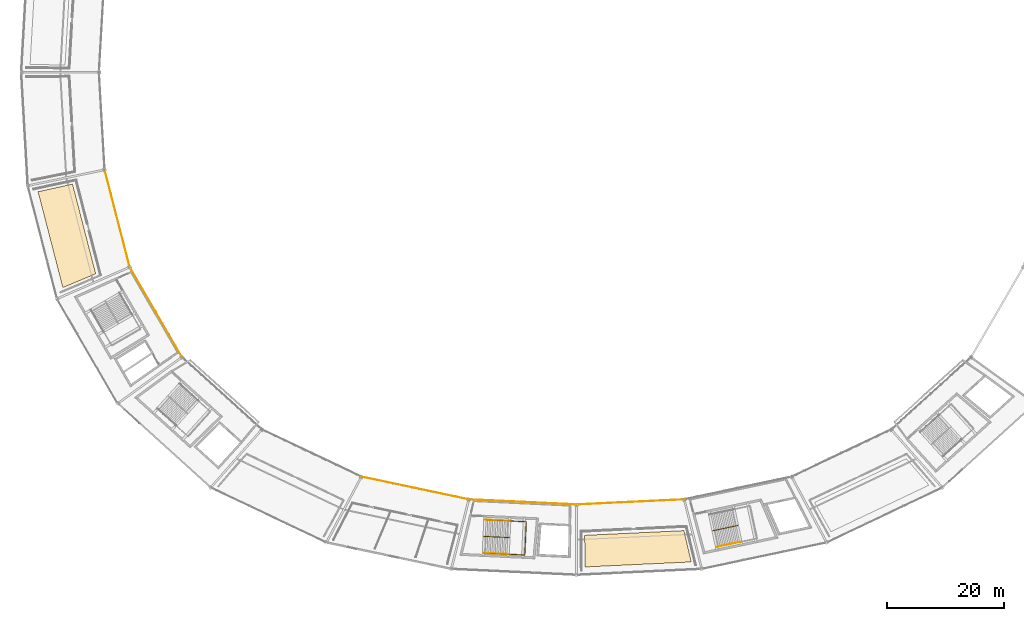
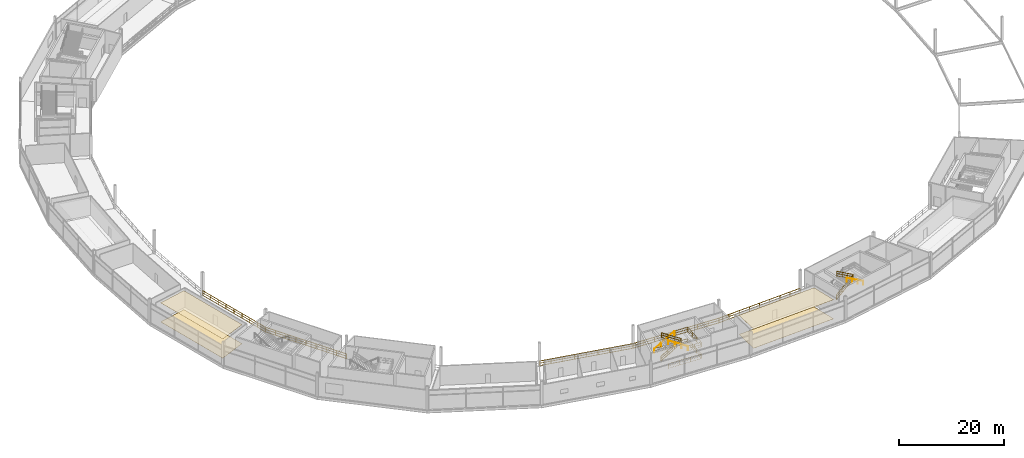
# One storey, part 98 of 103: 12 railings, 4 coverings.
"""IFC4 building model written with IfcOpenShell, lengths in metres."""

import ifcopenshell
import ifcopenshell.guid

model = None  # the IFC model being written
_history = None  # IfcOwnerHistory: only IFC2X3 demands one
_inside = {}  # id of a spatial element -> (the spatial element, [elements in it])
_under = {}  # id of a project, library or spatial element -> (it, [spatial elements below it])
_declared = {}  # id of a project -> (the project, [libraries it declares])
_typed = {}  # id of a type object -> (the type object, [elements of that type])
_made_of = {}  # id of a material, layer set ... -> (it, [elements and type objects made of it])


def new_model(schema):
    """Start an empty IFC model of exactly this schema.

    Asked for "IFC4X3", IfcOpenShell would pick the latest addendum, in which some entities
    have other attributes; the version numbers below select the first issue.
    IFC2X3 requires an IfcOwnerHistory on every rooted entity: one is made here for all.
    """
    global model, _history
    if schema == "IFC4X3":
        model = ifcopenshell.file(schema_version=(4, 3, 0, 0))
    else:
        model = ifcopenshell.file(schema=schema)
    _inside.clear()
    _under.clear()
    _declared.clear()
    _typed.clear()
    _made_of.clear()
    _history = None
    if model.schema == "IFC2X3":
        org = make("IfcOrganization", Name="unknown")
        user = make(
            "IfcPersonAndOrganization",
            ThePerson=make("IfcPerson", FamilyName="unknown"),
            TheOrganization=org,
        )
        app = make(
            "IfcApplication",
            ApplicationDeveloper=org,
            Version="unknown",
            ApplicationFullName="unknown",
            ApplicationIdentifier="unknown",
        )
        _history = make(
            "IfcOwnerHistory",
            OwningUser=user,
            OwningApplication=app,
            ChangeAction="ADDED",
            CreationDate=0,
        )
    return model


def make(cls, **values):
    """One entity of the class cls with the attributes given. An attribute that is None is left unset."""
    return model.create_entity(
        cls, **{name: value for name, value in values.items() if value is not None}
    )


def rooted(cls, **values):
    """An entity with a GlobalId (a new one), such as an element, a storey or a relation."""
    return make(cls, GlobalId=ifcopenshell.guid.new(), OwnerHistory=_history, **values)


def si_unit(unit_type, name, prefix=None):
    """IfcSIUnit, for example si_unit("LENGTHUNIT", "METRE", prefix="MILLI")."""
    return make("IfcSIUnit", UnitType=unit_type, Prefix=prefix, Name=name)


def assignment(units):
    """IfcUnitAssignment: the units of a project."""
    return None if units is None else make("IfcUnitAssignment", Units=units)


def point(xyz):
    """IfcCartesianPoint."""
    return None if xyz is None else make("IfcCartesianPoint", Coordinates=xyz)


def direction(xyz):
    """IfcDirection."""
    return None if xyz is None else make("IfcDirection", DirectionRatios=xyz)


def frame(location, z_axis=None, x_axis=None):
    """IfcAxis2Placement3D, a coordinate frame: its origin and axes. An axis left out is left unset."""
    return make(
        "IfcAxis2Placement3D",
        Location=point(location),
        Axis=direction(z_axis),
        RefDirection=direction(x_axis),
    )


def frame_2d(location, x_axis=None):
    """IfcAxis2Placement2D, a coordinate frame in the plane: its origin and x axis."""
    return make(
        "IfcAxis2Placement2D", Location=point(location), RefDirection=direction(x_axis)
    )


def origin():
    """The frame at (0, 0, 0) with its axes left unset."""
    return frame((0.0, 0.0, 0.0))


def origin_2d():
    """The frame at (0, 0) in the plane with its x axis left unset."""
    return frame_2d((0.0, 0.0))


def place(relative_to, where):
    """IfcLocalPlacement: puts the frame where relative to a parent placement (None: the world)."""
    return make(
        "IfcLocalPlacement", PlacementRelTo=relative_to, RelativePlacement=where
    )


def context(
    kind, dimensions, precision=None, world=None, true_north=None, identifier=None
):
    """IfcGeometricRepresentationContext, for example the 3D "Model" context."""
    return make(
        "IfcGeometricRepresentationContext",
        ContextIdentifier=identifier,
        ContextType=kind,
        CoordinateSpaceDimension=dimensions,
        Precision=precision,
        WorldCoordinateSystem=world,
        TrueNorth=true_north,
    )


def subcontext(parent, identifier, kind, view, scale=None):
    """IfcGeometricRepresentationSubContext, for example "Body" below "Model"."""
    return make(
        "IfcGeometricRepresentationSubContext",
        ContextIdentifier=identifier,
        ContextType=kind,
        ParentContext=parent,
        TargetScale=scale,
        TargetView=view,
    )


def project(units=None, contexts=None):
    """IfcProject with its units and contexts."""
    return rooted(
        "IfcProject",
        Name="project",
        RepresentationContexts=contexts,
        UnitsInContext=assignment(units),
    )


def spatial(cls, under=None, at=None, **own):
    """A site, building, storey or space (cls), placed at a placement, below another one or the project."""
    s = rooted(cls, ObjectPlacement=at, **own)
    if under is not None:
        _under.setdefault(under.id(), (under, []))[1].append(s)
    return s


def polyline(points):
    """IfcPolyline through the points."""
    return make("IfcPolyline", Points=[point(p) for p in points])


def profile(cls, at=None, kind="AREA", **sizes):
    """A parametric profile (cls). Its sizes go by their IFC names, for example OverallWidth=200.0."""
    return make(cls, ProfileType=kind, Position=at, **sizes)


def rectangle(**sizes):
    """IfcRectangleProfileDef."""
    return profile("IfcRectangleProfileDef", **sizes)


def outline(outer, holes=None, kind="AREA"):
    """IfcArbitraryClosedProfileDef: a profile drawn as a closed curve; with holes, ...WithVoids."""
    if holes is None:
        return make("IfcArbitraryClosedProfileDef", ProfileType=kind, OuterCurve=outer)
    return make(
        "IfcArbitraryProfileDefWithVoids",
        ProfileType=kind,
        OuterCurve=outer,
        InnerCurves=holes,
    )


def extrude(swept, where, along, depth):
    """IfcExtrudedAreaSolid: the profile swept, set in the frame where, extruded along a direction by depth."""
    return make(
        "IfcExtrudedAreaSolid",
        SweptArea=swept,
        Position=where,
        ExtrudedDirection=direction(along),
        Depth=depth,
    )


def shape(context_of_items, identifier, shape_type, items):
    """IfcShapeRepresentation: the items that make up one representation, for example the "Body"."""
    return make(
        "IfcShapeRepresentation",
        ContextOfItems=context_of_items,
        RepresentationIdentifier=identifier,
        RepresentationType=shape_type,
        Items=items,
    )


def material(Name=None, Category=None):
    """IfcMaterial."""
    return make("IfcMaterial", Name=Name, Category=Category)


def layer(
    of_material, thickness, ventilated=None, Name=None, Category=None, Priority=None
):
    """IfcMaterialLayer: one layer of a wall or slab, of a material (None: an air gap)."""
    return make(
        "IfcMaterialLayer",
        Material=of_material,
        LayerThickness=thickness,
        IsVentilated=ventilated,
        Name=Name,
        Category=Category,
        Priority=Priority,
    )


def layer_set(layers, Name=None):
    """IfcMaterialLayerSet."""
    return make("IfcMaterialLayerSet", MaterialLayers=layers, LayerSetName=Name)


def made_of(thing, what):
    """Note that an element or type object is made of a material, layer set ...; save() writes the relation."""
    if what is not None:
        _made_of.setdefault(what.id(), (what, []))[1].append(thing)
    return thing


def type_object(cls, material=None, **own):
    """A type object (cls), such as IfcWallType, which elements share."""
    return made_of(rooted(cls, **own), material)


def element(
    cls,
    number,
    at=None,
    inside=None,
    cuts=None,
    type_object=None,
    material=None,
    context=None,
    identifier="Body",
    shape_type=None,
    held_by="IfcProductDefinitionShape",
    body=None,
    shapes=None,
    **own,
):
    """One element of the class cls, such as IfcWall. Its Tag is "e" and its number.

    at: its placement. inside: the storey or other place that contains it. cuts: it is an
    opening in that element (IfcRelVoidsElement). A single representation is given by context,
    identifier, shape_type and body (its items); several are given by shapes. held_by: the class
    of the entity that holds the representations. save() writes the other relations.
    """
    e = rooted(cls, Tag="e%d" % number, ObjectPlacement=at, **own)
    if body is not None:
        shapes = [shape(context, identifier, shape_type, body)]
    if shapes is not None:
        e.Representation = make(held_by, Representations=shapes)
    if inside is not None:
        _inside.setdefault(inside.id(), (inside, []))[1].append(e)
    if cuts is not None:
        rooted(
            "IfcRelVoidsElement", RelatingBuildingElement=cuts, RelatedOpeningElement=e
        )
    if type_object is not None:
        _typed.setdefault(type_object.id(), (type_object, []))[1].append(e)
    return made_of(e, material)


def aggregate(whole, parts):
    """IfcRelAggregates: a whole, such as a stair, and the parts it consists of."""
    return rooted("IfcRelAggregates", RelatingObject=whole, RelatedObjects=parts)


def save(model, path):
    """Write the relations noted so far, then the file.

    IfcRelAggregates (storeys below a building ...), IfcRelContainedInSpatialStructure (elements
    in a storey), IfcRelDefinesByType, IfcRelAssociatesMaterial and IfcRelDeclares: one each for
    every whole, place, type object, material and project.
    """
    for whole, parts in _under.values():
        aggregate(whole, parts)
    for where, things in _inside.values():
        rooted(
            "IfcRelContainedInSpatialStructure",
            RelatedElements=things,
            RelatingStructure=where,
        )
    for kind, things in _typed.values():
        rooted("IfcRelDefinesByType", RelatedObjects=things, RelatingType=kind)
    for what, things in _made_of.values():
        rooted("IfcRelAssociatesMaterial", RelatedObjects=things, RelatingMaterial=what)
    for by, libraries in _declared.values():
        rooted("IfcRelDeclares", RelatingContext=by, RelatedDefinitions=libraries)
    model.write(path)


model = new_model("IFC4")

# Units and contexts
model_context = context("Model", 3, precision=1e-05, world=origin(), true_north=direction((0.0, 1.0)))
body_context = subcontext(model_context, "Body", "Model", "MODEL_VIEW")
ifc_project = project(units=[si_unit("LENGTHUNIT", "METRE"), si_unit("AREAUNIT", "SQUARE_METRE"), si_unit("VOLUMEUNIT", "CUBIC_METRE"), si_unit("PLANEANGLEUNIT", "RADIAN"), si_unit("MASSUNIT", "GRAM", prefix="KILO")], contexts=[model_context])

# Site, building, storey
site_placement = place(None, origin())
site = spatial("IfcSite", under=ifc_project, at=site_placement, CompositionType="ELEMENT")
building_placement = place(site_placement, origin())
building = spatial("IfcBuilding", under=site, at=building_placement, Name="Kazemori Nagisa Stadium", CompositionType="ELEMENT")
storey_placement = place(building_placement, frame((0.0, 0.0, 25.840087890625)))
storey = spatial("IfcBuildingStorey", under=building, at=storey_placement, Name="L05", CompositionType="ELEMENT", Elevation=25.840087890625)

# Coverings
ifc_material_1 = material(Name="Mineral-fibre acoustic board", Category="gypsum")
ifc_layer_1 = layer(ifc_material_1, 0.02001953125, Name="Mineral-fibre acoustic board", Category="gypsum")
ifc_layer_set_1 = layer_set([ifc_layer_1], Name="Mineral-fibre acoustic board")
covering_type_1 = type_object("IfcCoveringType", Name="Cov_CEIL", PredefinedType="CEILING", material=ifc_layer_set_1)
covering_1_placement = place(storey_placement, frame((0.0, 0.0, 4.449951171875)))
element("IfcCovering", 1, at=covering_1_placement, inside=storey, type_object=covering_type_1, Name="Acoustic ceiling L05-B16", PredefinedType="CEILING", context=body_context, shape_type="SweptSolid", body=[
    extrude(outline(polyline([(36.764404296875, 82.866455078125), (40.7255859375, 67.52197265625), (35.103759765625, 65.166015625), (30.871826171875, 81.55908203125), (36.764404296875, 82.866455078125)])), origin(), (0.0, 0.0, 1.0), 0.02001953125),
])
covering_2_placement = place(storey_placement, frame((0.0, 0.0, 4.449951171875)))
element("IfcCovering", 2, at=covering_2_placement, inside=storey, type_object=covering_type_1, Name="Acoustic ceiling L05-B22", PredefinedType="CEILING", context=body_context, shape_type="SweptSolid", body=[
    extrude(outline(polyline([(124.383056640625, 22.7734375), (141.373291015625, 23.57666015625), (142.62890625, 18.218017578125), (124.4775390625, 17.35986328125), (124.383056640625, 22.7734375)])), origin(), (0.0, 0.0, 1.0), 0.02001953125),
])
ifc_material_2 = material(Name="Porcelain stoneware tile", Category="masonry")
ifc_layer_2 = layer(ifc_material_2, 0.02490234375, Name="Porcelain stoneware tile", Category="masonry")
ifc_layer_set_2 = layer_set([ifc_layer_2], Name="Porcelain stoneware tile")
covering_type_2 = type_object("IfcCoveringType", Name="Cov_FLOOR", PredefinedType="FLOORING", material=ifc_layer_set_2)
covering_3_placement = place(storey_placement, origin())
element("IfcCovering", 3, at=covering_3_placement, inside=storey, type_object=covering_type_2, Name="Porcelain floor finish L05-B16", PredefinedType="FLOORING", context=body_context, shape_type="SweptSolid", body=[
    extrude(outline(polyline([(36.764404296875, 82.866455078125), (40.7255859375, 67.52197265625), (35.103759765625, 65.166015625), (30.871826171875, 81.55908203125), (36.764404296875, 82.866455078125)])), origin(), (0.0, 0.0, 1.0), 0.02490234375),
])
covering_4_placement = place(storey_placement, origin())
element("IfcCovering", 4, at=covering_4_placement, inside=storey, type_object=covering_type_2, Name="Porcelain floor finish L05-B22", PredefinedType="FLOORING", context=body_context, shape_type="SweptSolid", body=[
    extrude(outline(polyline([(124.383056640625, 22.7734375), (141.373291015625, 23.57666015625), (142.62890625, 18.218017578125), (124.4775390625, 17.35986328125), (124.383056640625, 22.7734375)])), origin(), (0.0, 0.0, 1.0), 0.02490234375),
])

# Railings
ifc_material_3 = material(Name="Laminated safety glass and stainless steel SUS304", Category="steel")
railing_type_1 = type_object("IfcRailingType", Name="Rail_BAL", PredefinedType="BALUSTRADE", material=ifc_material_3)
railing_1_placement = place(storey_placement, frame((42.262451171875, 85.31787109375, 0.0)))
element("IfcRailing", 5, at=railing_1_placement, inside=storey, type_object=railing_type_1, Name="Upper concourse balustrade L05-B16", PredefinedType="BALUSTRADE", context=body_context, shape_type="SweptSolid", body=[
    extrude(rectangle(XDim=0.050048828125, YDim=0.050048828125, at=origin_2d()), frame((0.0, 0.0, 1.09521484375), z_axis=(0.249974673676, -0.968252375427, 0.0), x_axis=(0.968252375427, 0.249974673676, 0.0)), (0.0, 0.0, 1.0), 17.188232421875),
    extrude(rectangle(XDim=0.03759765625, YDim=0.03759765625, at=origin_2d()), frame((0.0, 0.0, 0.58251953125), z_axis=(0.249974673676, -0.968252375427, 0.0), x_axis=(0.968252375427, 0.249974673676, 0.0)), (0.0, 0.0, 1.0), 17.188232421875),
    extrude(rectangle(XDim=0.03759765625, YDim=0.03759765625, at=origin_2d()), frame((0.0, 0.0, 0.02490234375), z_axis=(0.249974673676, -0.968252375427, 0.0), x_axis=(0.968252375427, 0.249974673676, 0.0)), (0.0, 0.0, 1.0), 17.188232421875),
    extrude(rectangle(XDim=0.044921875, YDim=0.044921875, at=origin_2d()), origin(), (0.0, 0.0, 1.0), 1.070068359375),
    extrude(rectangle(XDim=0.044921875, YDim=0.044921875, at=origin_2d()), frame((0.537109375, -2.080322265625, 0.0)), (0.0, 0.0, 1.0), 1.070068359375),
    extrude(rectangle(XDim=0.044921875, YDim=0.044921875, at=origin_2d()), frame((1.07421875, -4.16064453125, 0.0)), (0.0, 0.0, 1.0), 1.070068359375),
    extrude(rectangle(XDim=0.044921875, YDim=0.044921875, at=origin_2d()), frame((1.611328125, -6.240966796875, 0.0)), (0.0, 0.0, 1.0), 1.070068359375),
    extrude(rectangle(XDim=0.044921875, YDim=0.044921875, at=origin_2d()), frame((2.1484375, -8.3212890625, 0.0)), (0.0, 0.0, 1.0), 1.070068359375),
    extrude(rectangle(XDim=0.044921875, YDim=0.044921875, at=origin_2d()), frame((2.685302734375, -10.401611328125, 0.0)), (0.0, 0.0, 1.0), 1.070068359375),
    extrude(rectangle(XDim=0.044921875, YDim=0.044921875, at=origin_2d()), frame((3.222412109375, -12.48193359375, 0.0)), (0.0, 0.0, 1.0), 1.070068359375),
    extrude(rectangle(XDim=0.044921875, YDim=0.044921875, at=origin_2d()), frame((3.759521484375, -14.562255859375, 0.0)), (0.0, 0.0, 1.0), 1.070068359375),
    extrude(rectangle(XDim=0.044921875, YDim=0.044921875, at=origin_2d()), frame((4.296630859375, -16.642578125, 0.0)), (0.0, 0.0, 1.0), 1.070068359375),
])
railing_2_placement = place(storey_placement, frame((46.55908203125, 68.67529296875, 0.0)))
element("IfcRailing", 6, at=railing_2_placement, inside=storey, type_object=railing_type_1, Name="Upper concourse balustrade L05-B17", PredefinedType="BALUSTRADE", context=body_context, shape_type="SweptSolid", body=[
    extrude(rectangle(XDim=0.050048828125, YDim=0.050048828125, at=origin_2d()), frame((0.0, 0.0, 1.09521484375), z_axis=(0.501606704589, -0.865095783085, 0.0), x_axis=(0.865095783085, 0.501606704589, 0.0)), (0.0, 0.0, 1.0), 17.8125),
    extrude(rectangle(XDim=0.03759765625, YDim=0.03759765625, at=origin_2d()), frame((0.0, 0.0, 0.58251953125), z_axis=(0.501606704589, -0.865095783085, 0.0), x_axis=(0.865095783085, 0.501606704589, 0.0)), (0.0, 0.0, 1.0), 17.8125),
    extrude(rectangle(XDim=0.03759765625, YDim=0.03759765625, at=origin_2d()), frame((0.0, 0.0, 0.02490234375), z_axis=(0.501606704589, -0.865095783085, 0.0), x_axis=(0.865095783085, 0.501606704589, 0.0)), (0.0, 0.0, 1.0), 17.8125),
    extrude(rectangle(XDim=0.044921875, YDim=0.044921875, at=origin_2d()), origin(), (0.0, 0.0, 1.0), 1.070068359375),
    extrude(rectangle(XDim=0.044921875, YDim=0.044921875, at=origin_2d()), frame((1.116943359375, -1.92626953125, 0.0)), (0.0, 0.0, 1.0), 1.070068359375),
    extrude(rectangle(XDim=0.044921875, YDim=0.044921875, at=origin_2d()), frame((2.233642578125, -3.852294921875, 0.0)), (0.0, 0.0, 1.0), 1.070068359375),
    extrude(rectangle(XDim=0.044921875, YDim=0.044921875, at=origin_2d()), frame((3.3505859375, -5.778564453125, 0.0)), (0.0, 0.0, 1.0), 1.070068359375),
    extrude(rectangle(XDim=0.044921875, YDim=0.044921875, at=origin_2d()), frame((4.46728515625, -7.70458984375, 0.0)), (0.0, 0.0, 1.0), 1.070068359375),
    extrude(rectangle(XDim=0.044921875, YDim=0.044921875, at=origin_2d()), frame((5.584228515625, -9.630859375, 0.0)), (0.0, 0.0, 1.0), 1.070068359375),
    extrude(rectangle(XDim=0.044921875, YDim=0.044921875, at=origin_2d()), frame((6.701171875, -11.55712890625, 0.0)), (0.0, 0.0, 1.0), 1.070068359375),
    extrude(rectangle(XDim=0.044921875, YDim=0.044921875, at=origin_2d()), frame((7.81787109375, -13.483154296875, 0.0)), (0.0, 0.0, 1.0), 1.070068359375),
    extrude(rectangle(XDim=0.044921875, YDim=0.044921875, at=origin_2d()), frame((8.934814453125, -15.409423828125, 0.0)), (0.0, 0.0, 1.0), 1.070068359375),
])
railing_3_placement = place(storey_placement, frame((86.18798828125, 32.80078125, 0.0)))
element("IfcRailing", 7, at=railing_3_placement, inside=storey, type_object=railing_type_1, Name="Upper concourse balustrade L05-B20", PredefinedType="BALUSTRADE", context=body_context, shape_type="SweptSolid", body=[
    extrude(rectangle(XDim=0.050048828125, YDim=0.050048828125, at=origin_2d()), frame((0.0, 0.0, 1.09521484375), z_axis=(0.978345149833, -0.206980114499, 0.0), x_axis=(0.206980114499, 0.978345149833, 0.0)), (0.0, 0.0, 1.0), 18.791259765625),
    extrude(rectangle(XDim=0.03759765625, YDim=0.03759765625, at=origin_2d()), frame((0.0, 0.0, 0.58251953125), z_axis=(0.978345149833, -0.206980114499, 0.0), x_axis=(0.206980114499, 0.978345149833, 0.0)), (0.0, 0.0, 1.0), 18.791259765625),
    extrude(rectangle(XDim=0.03759765625, YDim=0.03759765625, at=origin_2d()), frame((0.0, 0.0, 0.02490234375), z_axis=(0.978345149833, -0.206980114499, 0.0), x_axis=(0.206980114499, 0.978345149833, 0.0)), (0.0, 0.0, 1.0), 18.791259765625),
    extrude(rectangle(XDim=0.044921875, YDim=0.044921875, at=origin_2d()), origin(), (0.0, 0.0, 1.0), 1.070068359375),
    extrude(rectangle(XDim=0.044921875, YDim=0.044921875, at=origin_2d()), frame((2.298095703125, -0.486083984375, 0.0)), (0.0, 0.0, 1.0), 1.070068359375),
    extrude(rectangle(XDim=0.044921875, YDim=0.044921875, at=origin_2d()), frame((4.59619140625, -0.972412109375, 0.0)), (0.0, 0.0, 1.0), 1.070068359375),
    extrude(rectangle(XDim=0.044921875, YDim=0.044921875, at=origin_2d()), frame((6.89404296875, -1.45849609375, 0.0)), (0.0, 0.0, 1.0), 1.070068359375),
    extrude(rectangle(XDim=0.044921875, YDim=0.044921875, at=origin_2d()), frame((9.192138671875, -1.94482421875, 0.0)), (0.0, 0.0, 1.0), 1.070068359375),
    extrude(rectangle(XDim=0.044921875, YDim=0.044921875, at=origin_2d()), frame((11.490234375, -2.430908203125, 0.0)), (0.0, 0.0, 1.0), 1.070068359375),
    extrude(rectangle(XDim=0.044921875, YDim=0.044921875, at=origin_2d()), frame((13.7880859375, -2.9169921875, 0.0)), (0.0, 0.0, 1.0), 1.070068359375),
    extrude(rectangle(XDim=0.044921875, YDim=0.044921875, at=origin_2d()), frame((16.086181640625, -3.4033203125, 0.0)), (0.0, 0.0, 1.0), 1.070068359375),
    extrude(rectangle(XDim=0.044921875, YDim=0.044921875, at=origin_2d()), frame((18.38427734375, -3.889404296875, 0.0)), (0.0, 0.0, 1.0), 1.070068359375),
])
railing_4_placement = place(storey_placement, frame((104.572265625, 28.911376953125, 0.0)))
element("IfcRailing", 8, at=railing_4_placement, inside=storey, type_object=railing_type_1, Name="Upper concourse balustrade L05-B21", PredefinedType="BALUSTRADE", context=body_context, shape_type="SweptSolid", body=[
    extrude(rectangle(XDim=0.050048828125, YDim=0.050048828125, at=origin_2d()), frame((0.0, 0.0, 1.09521484375), z_axis=(0.9988839804, -0.047231278829, 0.0), x_axis=(0.047231278829, 0.9988839804, 0.0)), (0.0, 0.0, 1.0), 18.4482421875),
    extrude(rectangle(XDim=0.03759765625, YDim=0.03759765625, at=origin_2d()), frame((0.0, 0.0, 0.58251953125), z_axis=(0.9988839804, -0.047231278829, 0.0), x_axis=(0.047231278829, 0.9988839804, 0.0)), (0.0, 0.0, 1.0), 18.4482421875),
    extrude(rectangle(XDim=0.03759765625, YDim=0.03759765625, at=origin_2d()), frame((0.0, 0.0, 0.02490234375), z_axis=(0.9988839804, -0.047231278829, 0.0), x_axis=(0.047231278829, 0.9988839804, 0.0)), (0.0, 0.0, 1.0), 18.4482421875),
    extrude(rectangle(XDim=0.044921875, YDim=0.044921875, at=origin_2d()), origin(), (0.0, 0.0, 1.0), 1.070068359375),
    extrude(rectangle(XDim=0.044921875, YDim=0.044921875, at=origin_2d()), frame((2.303466796875, -0.10888671875, 0.0)), (0.0, 0.0, 1.0), 1.070068359375),
    extrude(rectangle(XDim=0.044921875, YDim=0.044921875, at=origin_2d()), frame((4.60693359375, -0.2177734375, 0.0)), (0.0, 0.0, 1.0), 1.070068359375),
    extrude(rectangle(XDim=0.044921875, YDim=0.044921875, at=origin_2d()), frame((6.910400390625, -0.32666015625, 0.0)), (0.0, 0.0, 1.0), 1.070068359375),
    extrude(rectangle(XDim=0.044921875, YDim=0.044921875, at=origin_2d()), frame((9.2138671875, -0.435546875, 0.0)), (0.0, 0.0, 1.0), 1.070068359375),
    extrude(rectangle(XDim=0.044921875, YDim=0.044921875, at=origin_2d()), frame((11.517333984375, -0.544677734375, 0.0)), (0.0, 0.0, 1.0), 1.070068359375),
    extrude(rectangle(XDim=0.044921875, YDim=0.044921875, at=origin_2d()), frame((13.82080078125, -0.653564453125, 0.0)), (0.0, 0.0, 1.0), 1.070068359375),
    extrude(rectangle(XDim=0.044921875, YDim=0.044921875, at=origin_2d()), frame((16.124267578125, -0.762451171875, 0.0)), (0.0, 0.0, 1.0), 1.070068359375),
    extrude(rectangle(XDim=0.044921875, YDim=0.044921875, at=origin_2d()), frame((18.427734375, -0.871337890625, 0.0)), (0.0, 0.0, 1.0), 1.070068359375),
])
railing_5_placement = place(storey_placement, frame((123.0, 28.0400390625, 0.0)))
element("IfcRailing", 9, at=railing_5_placement, inside=storey, type_object=railing_type_1, Name="Upper concourse balustrade L05-B22", PredefinedType="BALUSTRADE", context=body_context, shape_type="SweptSolid", body=[
    extrude(rectangle(XDim=0.050048828125, YDim=0.050048828125, at=origin_2d()), frame((0.0, 0.0, 1.09521484375), z_axis=(0.9988839804, 0.047231278829, 0.0), x_axis=(-0.047231278829, 0.9988839804, 0.0)), (0.0, 0.0, 1.0), 18.4482421875),
    extrude(rectangle(XDim=0.03759765625, YDim=0.03759765625, at=origin_2d()), frame((0.0, 0.0, 0.58251953125), z_axis=(0.9988839804, 0.047231278829, 0.0), x_axis=(-0.047231278829, 0.9988839804, 0.0)), (0.0, 0.0, 1.0), 18.4482421875),
    extrude(rectangle(XDim=0.03759765625, YDim=0.03759765625, at=origin_2d()), frame((0.0, 0.0, 0.02490234375), z_axis=(0.9988839804, 0.047231278829, 0.0), x_axis=(-0.047231278829, 0.9988839804, 0.0)), (0.0, 0.0, 1.0), 18.4482421875),
    extrude(rectangle(XDim=0.044921875, YDim=0.044921875, at=origin_2d()), origin(), (0.0, 0.0, 1.0), 1.070068359375),
    extrude(rectangle(XDim=0.044921875, YDim=0.044921875, at=origin_2d()), frame((2.303466796875, 0.10888671875, 0.0)), (0.0, 0.0, 1.0), 1.070068359375),
    extrude(rectangle(XDim=0.044921875, YDim=0.044921875, at=origin_2d()), frame((4.60693359375, 0.2177734375, 0.0)), (0.0, 0.0, 1.0), 1.070068359375),
    extrude(rectangle(XDim=0.044921875, YDim=0.044921875, at=origin_2d()), frame((6.910400390625, 0.32666015625, 0.0)), (0.0, 0.0, 1.0), 1.070068359375),
    extrude(rectangle(XDim=0.044921875, YDim=0.044921875, at=origin_2d()), frame((9.2138671875, 0.435546875, 0.0)), (0.0, 0.0, 1.0), 1.070068359375),
    extrude(rectangle(XDim=0.044921875, YDim=0.044921875, at=origin_2d()), frame((11.517333984375, 0.544677734375, 0.0)), (0.0, 0.0, 1.0), 1.070068359375),
    extrude(rectangle(XDim=0.044921875, YDim=0.044921875, at=origin_2d()), frame((13.82080078125, 0.653564453125, 0.0)), (0.0, 0.0, 1.0), 1.070068359375),
    extrude(rectangle(XDim=0.044921875, YDim=0.044921875, at=origin_2d()), frame((16.124267578125, 0.762451171875, 0.0)), (0.0, 0.0, 1.0), 1.070068359375),
    extrude(rectangle(XDim=0.044921875, YDim=0.044921875, at=origin_2d()), frame((18.427734375, 0.871337890625, 0.0)), (0.0, 0.0, 1.0), 1.070068359375),
])
ifc_material_4 = material(Name="Galvanised powder-coated steel", Category="steel")
railing_type_2 = type_object("IfcRailingType", Name="Rail_GUARD", PredefinedType="GUARDRAIL", material=ifc_material_4)
railing_6_placement = place(storey_placement, frame((107.32470703125, 25.434814453125, 0.0)))
element("IfcRailing", 10, at=railing_6_placement, inside=storey, type_object=railing_type_2, Name="Stair well perimeter guard ST12-L05", PredefinedType="GUARDRAIL", context=body_context, shape_type="SweptSolid", body=[
    extrude(rectangle(XDim=0.050048828125, YDim=0.050048828125, at=origin_2d()), frame((0.0, 0.0, 1.09521484375), z_axis=(0.998884968272, -0.04721038191, 0.0), x_axis=(0.04721038191, 0.998884968272, 0.0)), (0.0, 0.0, 1.0), 7.094970703125),
    extrude(rectangle(XDim=0.03759765625, YDim=0.03759765625, at=origin_2d()), frame((0.0, 0.0, 0.58251953125), z_axis=(0.998884968272, -0.04721038191, 0.0), x_axis=(0.04721038191, 0.998884968272, 0.0)), (0.0, 0.0, 1.0), 7.094970703125),
    extrude(rectangle(XDim=0.03759765625, YDim=0.03759765625, at=origin_2d()), frame((0.0, 0.0, 0.02490234375), z_axis=(0.998884968272, -0.04721038191, 0.0), x_axis=(0.04721038191, 0.998884968272, 0.0)), (0.0, 0.0, 1.0), 7.094970703125),
    extrude(rectangle(XDim=0.050048828125, YDim=0.050048828125, at=origin_2d()), frame((7.087158203125, -0.3349609375, 1.09521484375), z_axis=(-0.047243616775, -0.998883396936, 0.0), x_axis=(0.998883396936, -0.047243616775, 0.0)), (0.0, 0.0, 1.0), 5.699951171875),
    extrude(rectangle(XDim=0.03759765625, YDim=0.03759765625, at=origin_2d()), frame((7.087158203125, -0.3349609375, 0.58251953125), z_axis=(-0.047243616775, -0.998883396936, 0.0), x_axis=(0.998883396936, -0.047243616775, 0.0)), (0.0, 0.0, 1.0), 5.699951171875),
    extrude(rectangle(XDim=0.03759765625, YDim=0.03759765625, at=origin_2d()), frame((7.087158203125, -0.3349609375, 0.02490234375), z_axis=(-0.047243616775, -0.998883396936, 0.0), x_axis=(0.998883396936, -0.047243616775, 0.0)), (0.0, 0.0, 1.0), 5.699951171875),
    extrude(rectangle(XDim=0.050048828125, YDim=0.050048828125, at=origin_2d()), frame((6.81787109375, -6.028564453125, 1.09521484375), z_axis=(-0.998884891575, 0.047212004659, 0.0), x_axis=(-0.047212004659, -0.998884891575, 0.0)), (0.0, 0.0, 1.0), 7.0947265625),
    extrude(rectangle(XDim=0.03759765625, YDim=0.03759765625, at=origin_2d()), frame((6.81787109375, -6.028564453125, 0.58251953125), z_axis=(-0.998884891575, 0.047212004659, 0.0), x_axis=(-0.047212004659, -0.998884891575, 0.0)), (0.0, 0.0, 1.0), 7.0947265625),
    extrude(rectangle(XDim=0.03759765625, YDim=0.03759765625, at=origin_2d()), frame((6.81787109375, -6.028564453125, 0.02490234375), z_axis=(-0.998884891575, 0.047212004659, 0.0), x_axis=(-0.047212004659, -0.998884891575, 0.0)), (0.0, 0.0, 1.0), 7.0947265625),
    extrude(rectangle(XDim=0.044921875, YDim=0.044921875, at=origin_2d()), origin(), (0.0, 0.0, 1.0), 1.070068359375),
    extrude(rectangle(XDim=0.044921875, YDim=0.044921875, at=origin_2d()), frame((2.3623046875, -0.111572265625, 0.0)), (0.0, 0.0, 1.0), 1.070068359375),
    extrude(rectangle(XDim=0.044921875, YDim=0.044921875, at=origin_2d()), frame((4.724853515625, -0.223388671875, 0.0)), (0.0, 0.0, 1.0), 1.070068359375),
    extrude(rectangle(XDim=0.044921875, YDim=0.044921875, at=origin_2d()), frame((7.087158203125, -0.3349609375, 0.0)), (0.0, 0.0, 1.0), 1.070068359375),
    extrude(rectangle(XDim=0.044921875, YDim=0.044921875, at=origin_2d()), frame((6.997314453125, -2.23291015625, 0.0)), (0.0, 0.0, 1.0), 1.070068359375),
    extrude(rectangle(XDim=0.044921875, YDim=0.044921875, at=origin_2d()), frame((6.90771484375, -4.130615234375, 0.0)), (0.0, 0.0, 1.0), 1.070068359375),
    extrude(rectangle(XDim=0.044921875, YDim=0.044921875, at=origin_2d()), frame((6.81787109375, -6.028564453125, 0.0)), (0.0, 0.0, 1.0), 1.070068359375),
    extrude(rectangle(XDim=0.044921875, YDim=0.044921875, at=origin_2d()), frame((4.45556640625, -5.9169921875, 0.0)), (0.0, 0.0, 1.0), 1.070068359375),
    extrude(rectangle(XDim=0.044921875, YDim=0.044921875, at=origin_2d()), frame((2.09326171875, -5.80517578125, 0.0)), (0.0, 0.0, 1.0), 1.070068359375),
    extrude(rectangle(XDim=0.044921875, YDim=0.044921875, at=origin_2d()), frame((-0.26904296875, -5.693603515625, 0.0)), (0.0, 0.0, 1.0), 1.070068359375),
])
railing_7_placement = place(storey_placement, frame((107.1103515625, 22.591796875, 0.0)))
element("IfcRailing", 11, at=railing_7_placement, inside=storey, type_object=railing_type_2, Name="Stair central guard ST12-L05", PredefinedType="GUARDRAIL", context=body_context, shape_type="SweptSolid", body=[
    extrude(rectangle(XDim=0.050048828125, YDim=0.050048828125, at=origin_2d()), frame((0.0, 0.0, 1.09521484375), z_axis=(0.845563705293, -0.039948644116, 0.532377803937), x_axis=(0.04719234507, 0.998885820586, 0.0)), (0.0, 0.0, 1.0), 5.109130859375),
    extrude(rectangle(XDim=0.03759765625, YDim=0.03759765625, at=origin_2d()), frame((0.0, 0.0, 0.58251953125), z_axis=(0.845563705293, -0.039948644116, 0.532377803937), x_axis=(0.04719234507, 0.998885820586, 0.0)), (0.0, 0.0, 1.0), 5.109130859375),
    extrude(rectangle(XDim=0.03759765625, YDim=0.03759765625, at=origin_2d()), frame((0.0, 0.0, 0.02490234375), z_axis=(0.845563705293, -0.039948644116, 0.532377803937), x_axis=(0.04719234507, 0.998885820586, 0.0)), (0.0, 0.0, 1.0), 5.109130859375),
    extrude(rectangle(XDim=0.050048828125, YDim=0.050048828125, at=origin_2d()), frame((4.320068359375, -0.2041015625, 3.81494140625), z_axis=(-0.841044817984, 0.039756897488, 0.539502551656), x_axis=(-0.047218117157, -0.99888460265, 0.0)), (0.0, 0.0, 1.0), 5.041748046875),
    extrude(rectangle(XDim=0.03759765625, YDim=0.03759765625, at=origin_2d()), frame((4.320068359375, -0.2041015625, 3.302490234375), z_axis=(-0.841044817984, 0.039756897488, 0.539502551656), x_axis=(-0.047218117157, -0.99888460265, 0.0)), (0.0, 0.0, 1.0), 5.041748046875),
    extrude(rectangle(XDim=0.03759765625, YDim=0.03759765625, at=origin_2d()), frame((4.320068359375, -0.2041015625, 2.7451171875), z_axis=(-0.841044817984, 0.039756897488, 0.539502551656), x_axis=(-0.047218117157, -0.99888460265, 0.0)), (0.0, 0.0, 1.0), 5.041748046875),
    extrude(rectangle(XDim=0.044921875, YDim=0.044921875, at=origin_2d()), origin(), (0.0, 0.0, 1.0), 1.070068359375),
    extrude(rectangle(XDim=0.044921875, YDim=0.044921875, at=origin_2d()), frame((1.43994140625, -0.068115234375, 0.90673828125)), (0.0, 0.0, 1.0), 1.070068359375),
    extrude(rectangle(XDim=0.044921875, YDim=0.044921875, at=origin_2d()), frame((2.880126953125, -0.135986328125, 1.813232421875)), (0.0, 0.0, 1.0), 1.070068359375),
    extrude(rectangle(XDim=0.044921875, YDim=0.044921875, at=origin_2d()), frame((4.320068359375, -0.2041015625, 2.719970703125)), (0.0, 0.0, 1.0), 1.070068359375),
    extrude(rectangle(XDim=0.044921875, YDim=0.044921875, at=origin_2d()), frame((2.90673828125, -0.13720703125, 3.626708984375)), (0.0, 0.0, 1.0), 1.070068359375),
    extrude(rectangle(XDim=0.044921875, YDim=0.044921875, at=origin_2d()), frame((1.4931640625, -0.070556640625, 4.533203125)), (0.0, 0.0, 1.0), 1.070068359375),
    extrude(rectangle(XDim=0.044921875, YDim=0.044921875, at=origin_2d()), frame((0.079833984375, -0.003662109375, 5.43994140625)), (0.0, 0.0, 1.0), 1.070068359375),
])
railing_8_placement = place(storey_placement, frame((111.56494140625, 25.234375, 2.719970703125)))
element("IfcRailing", 12, at=railing_8_placement, inside=storey, type_object=railing_type_2, Name="Stair landing guard ST12-L05", PredefinedType="GUARDRAIL", context=body_context, shape_type="SweptSolid", body=[
    extrude(rectangle(XDim=0.050048828125, YDim=0.050048828125, at=origin_2d()), frame((0.0, 0.0, 1.09521484375), z_axis=(0.998885512722, -0.047198860948, 0.0), x_axis=(0.047198860948, 0.998885512722, 0.0)), (0.0, 0.0, 1.0), 2.85009765625),
    extrude(rectangle(XDim=0.03759765625, YDim=0.03759765625, at=origin_2d()), frame((0.0, 0.0, 0.58251953125), z_axis=(0.998885512722, -0.047198860948, 0.0), x_axis=(0.047198860948, 0.998885512722, 0.0)), (0.0, 0.0, 1.0), 2.85009765625),
    extrude(rectangle(XDim=0.03759765625, YDim=0.03759765625, at=origin_2d()), frame((0.0, 0.0, 0.02490234375), z_axis=(0.998885512722, -0.047198860948, 0.0), x_axis=(0.047198860948, 0.998885512722, 0.0)), (0.0, 0.0, 1.0), 2.85009765625),
    extrude(rectangle(XDim=0.050048828125, YDim=0.050048828125, at=origin_2d()), frame((2.846923828125, -0.134521484375, 1.09521484375), z_axis=(-0.047243616775, -0.998883396936, 0.0), x_axis=(0.998883396936, -0.047243616775, 0.0)), (0.0, 0.0, 1.0), 5.699951171875),
    extrude(rectangle(XDim=0.03759765625, YDim=0.03759765625, at=origin_2d()), frame((2.846923828125, -0.134521484375, 0.58251953125), z_axis=(-0.047243616775, -0.998883396936, 0.0), x_axis=(0.998883396936, -0.047243616775, 0.0)), (0.0, 0.0, 1.0), 5.699951171875),
    extrude(rectangle(XDim=0.03759765625, YDim=0.03759765625, at=origin_2d()), frame((2.846923828125, -0.134521484375, 0.02490234375), z_axis=(-0.047243616775, -0.998883396936, 0.0), x_axis=(0.998883396936, -0.047243616775, 0.0)), (0.0, 0.0, 1.0), 5.699951171875),
    extrude(rectangle(XDim=0.050048828125, YDim=0.050048828125, at=origin_2d()), frame((2.57763671875, -5.828125, 1.09521484375), z_axis=(-0.998885321869, 0.047202899858, 0.0), x_axis=(-0.047202899858, -0.998885321869, 0.0)), (0.0, 0.0, 1.0), 2.849853515625),
    extrude(rectangle(XDim=0.03759765625, YDim=0.03759765625, at=origin_2d()), frame((2.57763671875, -5.828125, 0.58251953125), z_axis=(-0.998885321869, 0.047202899858, 0.0), x_axis=(-0.047202899858, -0.998885321869, 0.0)), (0.0, 0.0, 1.0), 2.849853515625),
    extrude(rectangle(XDim=0.03759765625, YDim=0.03759765625, at=origin_2d()), frame((2.57763671875, -5.828125, 0.02490234375), z_axis=(-0.998885321869, 0.047202899858, 0.0), x_axis=(-0.047202899858, -0.998885321869, 0.0)), (0.0, 0.0, 1.0), 2.849853515625),
    extrude(rectangle(XDim=0.044921875, YDim=0.044921875, at=origin_2d()), origin(), (0.0, 0.0, 1.0), 1.070068359375),
    extrude(rectangle(XDim=0.044921875, YDim=0.044921875, at=origin_2d()), frame((1.42333984375, -0.0673828125, 0.0)), (0.0, 0.0, 1.0), 1.070068359375),
    extrude(rectangle(XDim=0.044921875, YDim=0.044921875, at=origin_2d()), frame((2.846923828125, -0.134521484375, 0.0)), (0.0, 0.0, 1.0), 1.070068359375),
    extrude(rectangle(XDim=0.044921875, YDim=0.044921875, at=origin_2d()), frame((2.757080078125, -2.032470703125, 0.0)), (0.0, 0.0, 1.0), 1.070068359375),
    extrude(rectangle(XDim=0.044921875, YDim=0.044921875, at=origin_2d()), frame((2.66748046875, -3.93017578125, 0.0)), (0.0, 0.0, 1.0), 1.070068359375),
    extrude(rectangle(XDim=0.044921875, YDim=0.044921875, at=origin_2d()), frame((2.57763671875, -5.828125, 0.0)), (0.0, 0.0, 1.0), 1.070068359375),
    extrude(rectangle(XDim=0.044921875, YDim=0.044921875, at=origin_2d()), frame((1.154296875, -5.7607421875, 0.0)), (0.0, 0.0, 1.0), 1.070068359375),
    extrude(rectangle(XDim=0.044921875, YDim=0.044921875, at=origin_2d()), frame((-0.26904296875, -5.693603515625, 0.0)), (0.0, 0.0, 1.0), 1.070068359375),
])
railing_9_placement = place(storey_placement, frame((146.28857421875, 23.54833984375, 0.0)))
element("IfcRailing", 13, at=railing_9_placement, inside=storey, type_object=railing_type_2, Name="Stair central guard ST06-L05", PredefinedType="GUARDRAIL", context=body_context, shape_type="SweptSolid", body=[
    extrude(rectangle(XDim=0.050048828125, YDim=0.050048828125, at=origin_2d()), frame((0.0, 0.0, 1.09521484375), z_axis=(0.828171188942, 0.175229574165, 0.532378698056), x_axis=(-0.207003271495, 0.978340250419, 0.0)), (0.0, 0.0, 1.0), 5.109130859375),
    extrude(rectangle(XDim=0.03759765625, YDim=0.03759765625, at=origin_2d()), frame((0.0, 0.0, 0.58251953125), z_axis=(0.828171188942, 0.175229574165, 0.532378698056), x_axis=(-0.207003271495, 0.978340250419, 0.0)), (0.0, 0.0, 1.0), 5.109130859375),
    extrude(rectangle(XDim=0.03759765625, YDim=0.03759765625, at=origin_2d()), frame((0.0, 0.0, 0.02490234375), z_axis=(0.828171188942, 0.175229574165, 0.532378698056), x_axis=(-0.207003271495, 0.978340250419, 0.0)), (0.0, 0.0, 1.0), 5.109130859375),
    extrude(rectangle(XDim=0.050048828125, YDim=0.050048828125, at=origin_2d()), frame((4.231201171875, 0.895263671875, 3.81494140625), z_axis=(-0.823751834377, -0.174280339305, 0.539499099806), x_axis=(0.206987174116, -0.978343656264, 0.0)), (0.0, 0.0, 1.0), 5.041748046875),
    extrude(rectangle(XDim=0.03759765625, YDim=0.03759765625, at=origin_2d()), frame((4.231201171875, 0.895263671875, 3.302490234375), z_axis=(-0.823751834377, -0.174280339305, 0.539499099806), x_axis=(0.206987174116, -0.978343656264, 0.0)), (0.0, 0.0, 1.0), 5.041748046875),
    extrude(rectangle(XDim=0.03759765625, YDim=0.03759765625, at=origin_2d()), frame((4.231201171875, 0.895263671875, 2.7451171875), z_axis=(-0.823751834377, -0.174280339305, 0.539499099806), x_axis=(0.206987174116, -0.978343656264, 0.0)), (0.0, 0.0, 1.0), 5.041748046875),
    extrude(rectangle(XDim=0.044921875, YDim=0.044921875, at=origin_2d()), origin(), (0.0, 0.0, 1.0), 1.070068359375),
    extrude(rectangle(XDim=0.044921875, YDim=0.044921875, at=origin_2d()), frame((1.410400390625, 0.29833984375, 0.90673828125)), (0.0, 0.0, 1.0), 1.070068359375),
    extrude(rectangle(XDim=0.044921875, YDim=0.044921875, at=origin_2d()), frame((2.82080078125, 0.596923828125, 1.813232421875)), (0.0, 0.0, 1.0), 1.070068359375),
    extrude(rectangle(XDim=0.044921875, YDim=0.044921875, at=origin_2d()), frame((4.231201171875, 0.895263671875, 2.719970703125)), (0.0, 0.0, 1.0), 1.070068359375),
    extrude(rectangle(XDim=0.044921875, YDim=0.044921875, at=origin_2d()), frame((2.846923828125, 0.602294921875, 3.626708984375)), (0.0, 0.0, 1.0), 1.070068359375),
    extrude(rectangle(XDim=0.044921875, YDim=0.044921875, at=origin_2d()), frame((1.46240234375, 0.3095703125, 4.533203125)), (0.0, 0.0, 1.0), 1.070068359375),
    extrude(rectangle(XDim=0.044921875, YDim=0.044921875, at=origin_2d()), frame((0.078125, 0.0166015625, 5.43994140625)), (0.0, 0.0, 1.0), 1.070068359375),
])
ifc_material_5 = material(Name="Stainless steel SUS304", Category="steel")
railing_type_3 = type_object("IfcRailingType", Name="Rail_HAND", PredefinedType="HANDRAIL", material=ifc_material_5)
railing_10_placement = place(storey_placement, frame((107.244873046875, 25.438720703125, 0.169921875)))
element("IfcRailing", 14, at=railing_10_placement, inside=storey, type_object=railing_type_3, Name="Stair handrail ST12-L05-F1", PredefinedType="HANDRAIL", context=body_context, shape_type="SweptSolid", body=[
    extrude(rectangle(XDim=0.050048828125, YDim=0.050048828125, at=origin_2d()), frame((0.0, 0.0, 0.875), z_axis=(0.845562090181, -0.039996353178, 0.532376787042), x_axis=(0.047248669297, 0.998883157957, 0.0)), (0.0, 0.0, 1.0), 5.109130859375),
    extrude(rectangle(XDim=0.044921875, YDim=0.044921875, at=origin_2d()), origin(), (0.0, 0.0, 1.0), 0.849853515625),
    extrude(rectangle(XDim=0.044921875, YDim=0.044921875, at=origin_2d()), frame((1.43994140625, -0.068115234375, 0.90673828125)), (0.0, 0.0, 1.0), 0.849853515625),
    extrude(rectangle(XDim=0.044921875, YDim=0.044921875, at=origin_2d()), frame((2.880126953125, -0.13623046875, 1.813232421875)), (0.0, 0.0, 1.0), 0.849853515625),
    extrude(rectangle(XDim=0.044921875, YDim=0.044921875, at=origin_2d()), frame((4.320068359375, -0.204345703125, 2.719970703125)), (0.0, 0.0, 1.0), 0.849853515625),
])
railing_11_placement = place(storey_placement, frame((111.2958984375, 19.540771484375, 2.889892578125)))
element("IfcRailing", 15, at=railing_11_placement, inside=storey, type_object=railing_type_3, Name="Stair handrail ST12-L05-F2", PredefinedType="HANDRAIL", context=body_context, shape_type="SweptSolid", body=[
    extrude(rectangle(XDim=0.050048828125, YDim=0.050048828125, at=origin_2d()), frame((0.0, 0.0, 0.875), z_axis=(-0.841044817984, 0.039756897488, 0.539502551656), x_axis=(-0.047218117157, -0.99888460265, 0.0)), (0.0, 0.0, 1.0), 5.041748046875),
    extrude(rectangle(XDim=0.044921875, YDim=0.044921875, at=origin_2d()), origin(), (0.0, 0.0, 1.0), 0.849853515625),
    extrude(rectangle(XDim=0.044921875, YDim=0.044921875, at=origin_2d()), frame((-1.413330078125, 0.06689453125, 0.90673828125)), (0.0, 0.0, 1.0), 0.849853515625),
    extrude(rectangle(XDim=0.044921875, YDim=0.044921875, at=origin_2d()), frame((-2.826904296875, 0.133544921875, 1.813232421875)), (0.0, 0.0, 1.0), 0.849853515625),
    extrude(rectangle(XDim=0.044921875, YDim=0.044921875, at=origin_2d()), frame((-4.240234375, 0.200439453125, 2.719970703125)), (0.0, 0.0, 1.0), 0.849853515625),
])
railing_12_placement = place(storey_placement, frame((151.10986328125, 21.6552734375, 2.889892578125)))
element("IfcRailing", 16, at=railing_12_placement, inside=storey, type_object=railing_type_3, Name="Stair handrail ST06-L05-F2", PredefinedType="HANDRAIL", context=body_context, shape_type="SweptSolid", body=[
    extrude(rectangle(XDim=0.050048828125, YDim=0.050048828125, at=origin_2d()), frame((0.0, 0.0, 0.875), z_axis=(-0.823751834377, -0.174280339305, 0.539499099806), x_axis=(0.206987174116, -0.978343656264, 0.0)), (0.0, 0.0, 1.0), 5.041748046875),
    extrude(rectangle(XDim=0.044921875, YDim=0.044921875, at=origin_2d()), origin(), (0.0, 0.0, 1.0), 0.849853515625),
    extrude(rectangle(XDim=0.044921875, YDim=0.044921875, at=origin_2d()), frame((-1.38427734375, -0.29296875, 0.90673828125)), (0.0, 0.0, 1.0), 0.849853515625),
    extrude(rectangle(XDim=0.044921875, YDim=0.044921875, at=origin_2d()), frame((-2.768798828125, -0.585693359375, 1.813232421875)), (0.0, 0.0, 1.0), 0.849853515625),
    extrude(rectangle(XDim=0.044921875, YDim=0.044921875, at=origin_2d()), frame((-4.153076171875, -0.878662109375, 2.719970703125)), (0.0, 0.0, 1.0), 0.849853515625),
])

save(model, "model.ifc")
